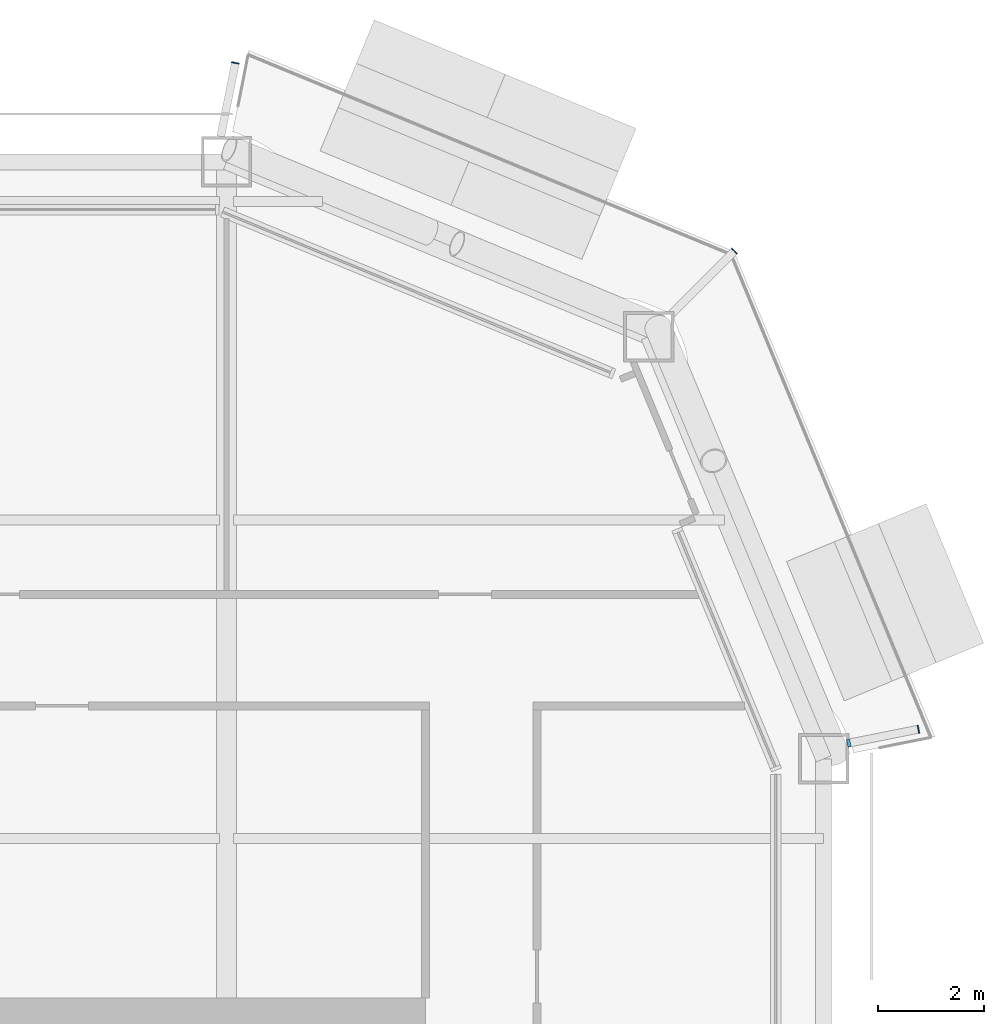
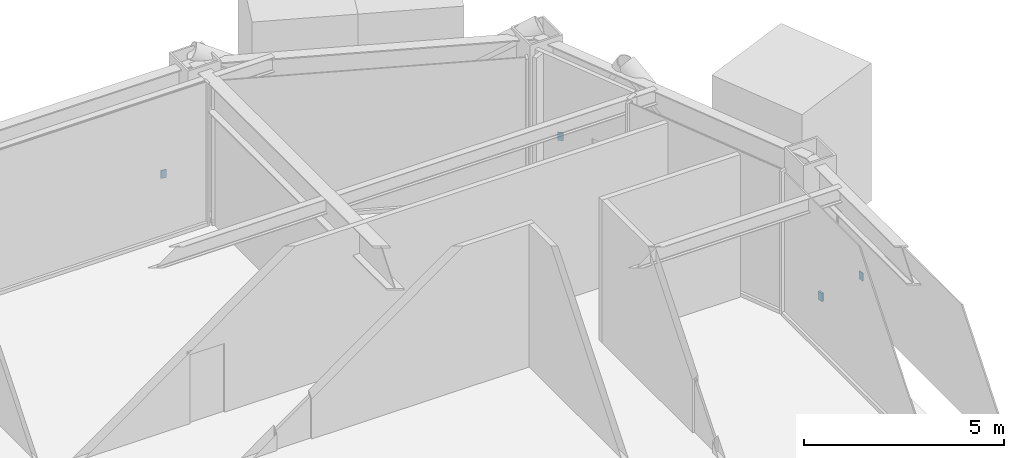
# One storey, part 17 of 23: 4 discrete accessories.
"""IFC4 building model written with IfcOpenShell, lengths in metres."""

from ifc_helpers import new_model, si_unit, direction, frame, origin, origin_2d, place, context, subcontext, project, spatial, rectangle, extrude, material, layer, layer_set, type_object, element, save


model = new_model("IFC4")

# Units and contexts
model_context = context("Model", 3, precision=1e-05, world=origin(), true_north=direction((0.0, 1.0)))
body_context = subcontext(model_context, "Body", "Model", "MODEL_VIEW")
ifc_project = project(units=[si_unit("LENGTHUNIT", "METRE"), si_unit("AREAUNIT", "SQUARE_METRE"), si_unit("VOLUMEUNIT", "CUBIC_METRE"), si_unit("PLANEANGLEUNIT", "RADIAN"), si_unit("MASSUNIT", "GRAM", prefix="KILO")], contexts=[model_context])

# Site, building, storey
site_placement = place(None, origin())
site = spatial("IfcSite", under=ifc_project, at=site_placement, CompositionType="ELEMENT")
building_placement = place(site_placement, origin())
building = spatial("IfcBuilding", under=site, at=building_placement, Name="Siwar Civic Tower", CompositionType="ELEMENT")
storey_placement = place(building_placement, frame((0.0, 0.0, 131.699951171875)))
storey = spatial("IfcBuildingStorey", under=building, at=storey_placement, Name="L28", CompositionType="ELEMENT", Elevation=131.699951171875)

# Discrete accessories
ifc_material_1 = material(Name="Stainless steel 316", Category="steel")
discrete_accessory_type_1 = type_object("IfcDiscreteAccessoryType", Name="ENV-BRACKET", PredefinedType="BRACKET", material=ifc_material_1)
discrete_accessory_placement = place(storey_placement, frame((29.72509765625, 18.29833984375, -0.39990234375), z_axis=(0.0, 0.0, 1.0), x_axis=(0.980785280403, 0.195090322016, 0.0)))
element("IfcDiscreteAccessory", 1, at=discrete_accessory_placement, inside=storey, type_object=discrete_accessory_type_1, Name="Bracket balcony cantilever beam NE 1", PredefinedType="BRACKET", context=body_context, shape_type="SweptSolid", body=[
    extrude(rectangle(XDim=0.06005859375, YDim=0.14990234375, at=origin_2d()), origin(), (0.0, 0.0, 1.0), 0.25),
])
ifc_material_2 = material(Name="Steel S355", Category="steel")
ifc_layer = layer(ifc_material_2, 0.02001953125)
ifc_layer_set = layer_set([ifc_layer], Name="Steel S355")
discrete_accessory_type_2 = type_object("IfcDiscreteAccessoryType", Name="STR-END-CAP", PredefinedType="USERDEFINED", material=ifc_layer_set)
for number, where, z_axis, x_axis, name in (
    (2, (31.036376953125, 18.559326171875, -0.39990234375), (0.0, 0.0, 1.0), (0.980785280366, 0.195090322204, 0.0), "End cap plate Balcony cantilever beam NE 1"),
    (3, (27.5693359375, 27.5693359375, -0.39990234375), (0.0, 0.0, 1.0), (0.707106781187, 0.707106781187, 0.0), "End cap plate Balcony cantilever beam NE 2"),
    (4, (18.1669921875, 31.114501953125, -0.39990234375), (0.0, 0.0, 1.0), (0.195090321913, 0.980785280424, 0.0), "End cap plate Balcony cantilever beam NE 3"),
):
    element("IfcDiscreteAccessory", number, at=place(storey_placement, frame(where, z_axis=z_axis, x_axis=x_axis)), inside=storey, type_object=discrete_accessory_type_2, Name=name, ObjectType="END CAP PLATE", PredefinedType="USERDEFINED", context=body_context, shape_type="SweptSolid", body=[
        extrude(rectangle(XDim=0.02001953125, YDim=0.14990234375, at=origin_2d()), origin(), (0.0, 0.0, 1.0), 0.25),
    ])

save(model, "model.ifc")
